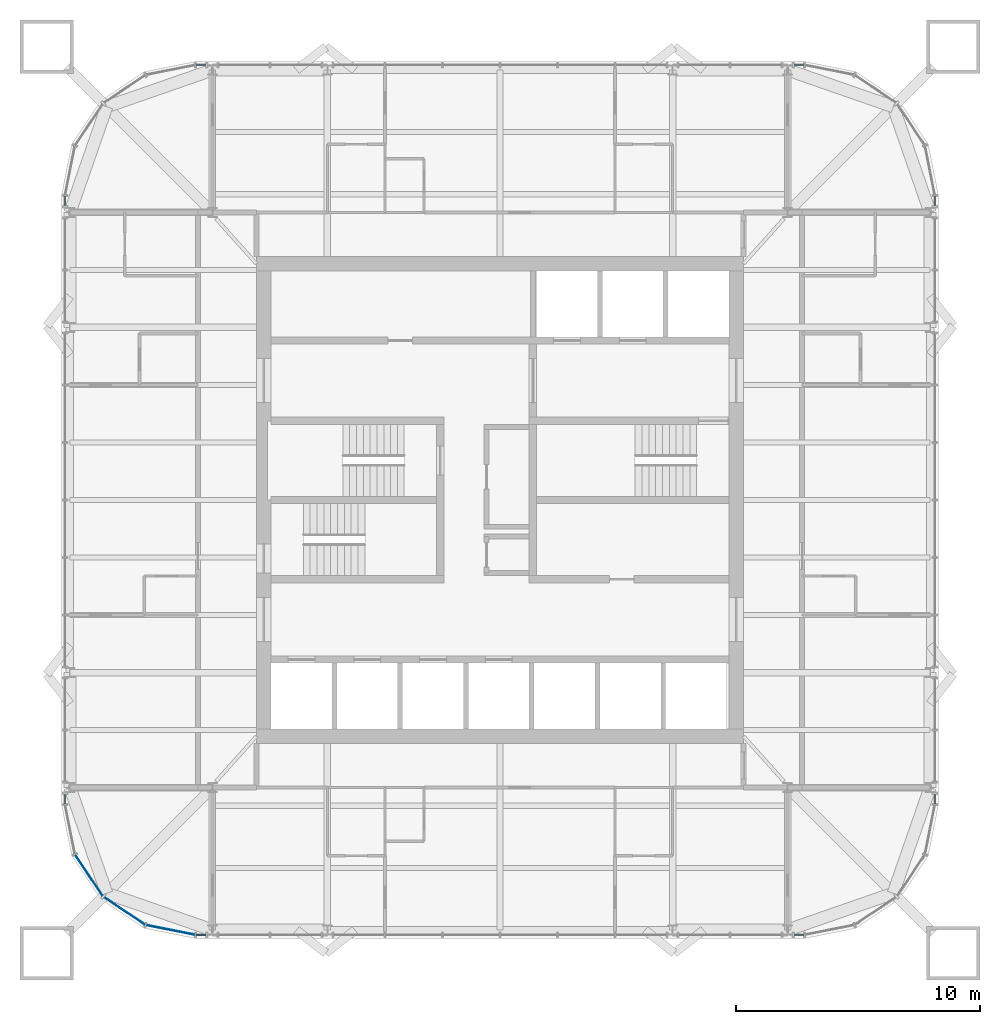
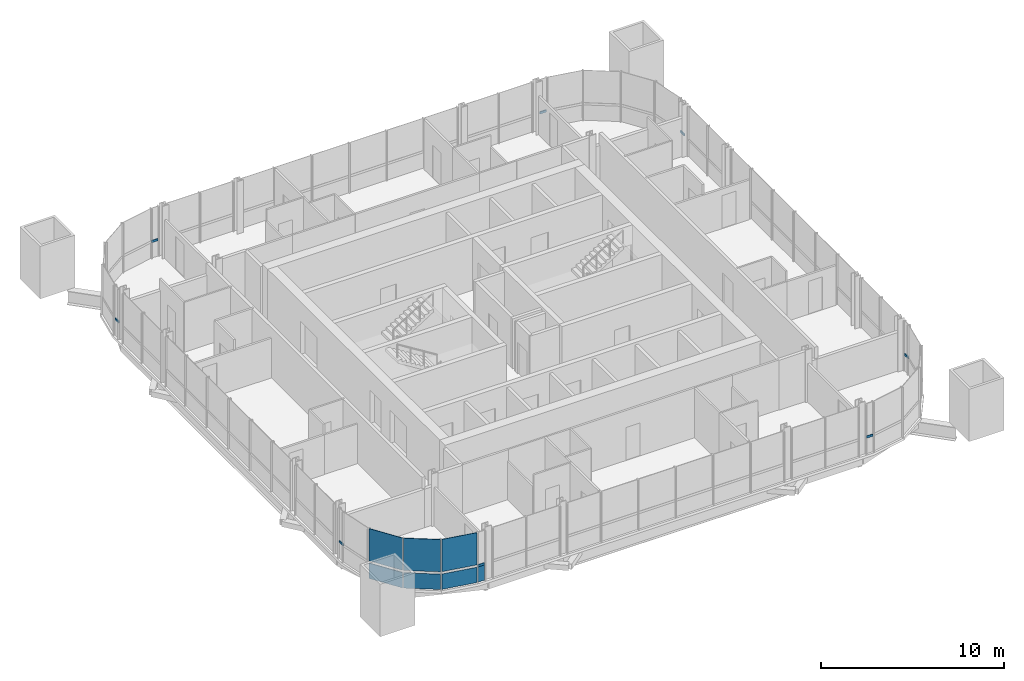
# One storey, part 7 of 17: 8 members, 7 plates, 9 elements without a shape of their own.
"""IFC4 building model written with IfcOpenShell, lengths in metres."""

import ifcopenshell
import ifcopenshell.guid

model = None  # the IFC model being written
_history = None  # IfcOwnerHistory: only IFC2X3 demands one
_inside = {}  # id of a spatial element -> (the spatial element, [elements in it])
_under = {}  # id of a project, library or spatial element -> (it, [spatial elements below it])
_declared = {}  # id of a project -> (the project, [libraries it declares])
_typed = {}  # id of a type object -> (the type object, [elements of that type])
_made_of = {}  # id of a material, layer set ... -> (it, [elements and type objects made of it])


def new_model(schema):
    """Start an empty IFC model of exactly this schema.

    Asked for "IFC4X3", IfcOpenShell would pick the latest addendum, in which some entities
    have other attributes; the version numbers below select the first issue.
    IFC2X3 requires an IfcOwnerHistory on every rooted entity: one is made here for all.
    """
    global model, _history
    if schema == "IFC4X3":
        model = ifcopenshell.file(schema_version=(4, 3, 0, 0))
    else:
        model = ifcopenshell.file(schema=schema)
    _inside.clear()
    _under.clear()
    _declared.clear()
    _typed.clear()
    _made_of.clear()
    _history = None
    if model.schema == "IFC2X3":
        org = make("IfcOrganization", Name="unknown")
        user = make(
            "IfcPersonAndOrganization",
            ThePerson=make("IfcPerson", FamilyName="unknown"),
            TheOrganization=org,
        )
        app = make(
            "IfcApplication",
            ApplicationDeveloper=org,
            Version="unknown",
            ApplicationFullName="unknown",
            ApplicationIdentifier="unknown",
        )
        _history = make(
            "IfcOwnerHistory",
            OwningUser=user,
            OwningApplication=app,
            ChangeAction="ADDED",
            CreationDate=0,
        )
    return model


def make(cls, **values):
    """One entity of the class cls with the attributes given. An attribute that is None is left unset."""
    return model.create_entity(
        cls, **{name: value for name, value in values.items() if value is not None}
    )


def rooted(cls, **values):
    """An entity with a GlobalId (a new one), such as an element, a storey or a relation."""
    return make(cls, GlobalId=ifcopenshell.guid.new(), OwnerHistory=_history, **values)


def si_unit(unit_type, name, prefix=None):
    """IfcSIUnit, for example si_unit("LENGTHUNIT", "METRE", prefix="MILLI")."""
    return make("IfcSIUnit", UnitType=unit_type, Prefix=prefix, Name=name)


def assignment(units):
    """IfcUnitAssignment: the units of a project."""
    return None if units is None else make("IfcUnitAssignment", Units=units)


def point(xyz):
    """IfcCartesianPoint."""
    return None if xyz is None else make("IfcCartesianPoint", Coordinates=xyz)


def direction(xyz):
    """IfcDirection."""
    return None if xyz is None else make("IfcDirection", DirectionRatios=xyz)


def frame(location, z_axis=None, x_axis=None):
    """IfcAxis2Placement3D, a coordinate frame: its origin and axes. An axis left out is left unset."""
    return make(
        "IfcAxis2Placement3D",
        Location=point(location),
        Axis=direction(z_axis),
        RefDirection=direction(x_axis),
    )


def frame_2d(location, x_axis=None):
    """IfcAxis2Placement2D, a coordinate frame in the plane: its origin and x axis."""
    return make(
        "IfcAxis2Placement2D", Location=point(location), RefDirection=direction(x_axis)
    )


def origin():
    """The frame at (0, 0, 0) with its axes left unset."""
    return frame((0.0, 0.0, 0.0))


def origin_2d():
    """The frame at (0, 0) in the plane with its x axis left unset."""
    return frame_2d((0.0, 0.0))


def place(relative_to, where):
    """IfcLocalPlacement: puts the frame where relative to a parent placement (None: the world)."""
    return make(
        "IfcLocalPlacement", PlacementRelTo=relative_to, RelativePlacement=where
    )


def context(
    kind, dimensions, precision=None, world=None, true_north=None, identifier=None
):
    """IfcGeometricRepresentationContext, for example the 3D "Model" context."""
    return make(
        "IfcGeometricRepresentationContext",
        ContextIdentifier=identifier,
        ContextType=kind,
        CoordinateSpaceDimension=dimensions,
        Precision=precision,
        WorldCoordinateSystem=world,
        TrueNorth=true_north,
    )


def subcontext(parent, identifier, kind, view, scale=None):
    """IfcGeometricRepresentationSubContext, for example "Body" below "Model"."""
    return make(
        "IfcGeometricRepresentationSubContext",
        ContextIdentifier=identifier,
        ContextType=kind,
        ParentContext=parent,
        TargetScale=scale,
        TargetView=view,
    )


def project(units=None, contexts=None):
    """IfcProject with its units and contexts."""
    return rooted(
        "IfcProject",
        Name="project",
        RepresentationContexts=contexts,
        UnitsInContext=assignment(units),
    )


def spatial(cls, under=None, at=None, **own):
    """A site, building, storey or space (cls), placed at a placement, below another one or the project."""
    s = rooted(cls, ObjectPlacement=at, **own)
    if under is not None:
        _under.setdefault(under.id(), (under, []))[1].append(s)
    return s


def profile(cls, at=None, kind="AREA", **sizes):
    """A parametric profile (cls). Its sizes go by their IFC names, for example OverallWidth=200.0."""
    return make(cls, ProfileType=kind, Position=at, **sizes)


def rectangle(**sizes):
    """IfcRectangleProfileDef."""
    return profile("IfcRectangleProfileDef", **sizes)


def extrude(swept, where, along, depth):
    """IfcExtrudedAreaSolid: the profile swept, set in the frame where, extruded along a direction by depth."""
    return make(
        "IfcExtrudedAreaSolid",
        SweptArea=swept,
        Position=where,
        ExtrudedDirection=direction(along),
        Depth=depth,
    )


def shape(context_of_items, identifier, shape_type, items):
    """IfcShapeRepresentation: the items that make up one representation, for example the "Body"."""
    return make(
        "IfcShapeRepresentation",
        ContextOfItems=context_of_items,
        RepresentationIdentifier=identifier,
        RepresentationType=shape_type,
        Items=items,
    )


def material(Name=None, Category=None):
    """IfcMaterial."""
    return make("IfcMaterial", Name=Name, Category=Category)


def layer(
    of_material, thickness, ventilated=None, Name=None, Category=None, Priority=None
):
    """IfcMaterialLayer: one layer of a wall or slab, of a material (None: an air gap)."""
    return make(
        "IfcMaterialLayer",
        Material=of_material,
        LayerThickness=thickness,
        IsVentilated=ventilated,
        Name=Name,
        Category=Category,
        Priority=Priority,
    )


def layer_set(layers, Name=None):
    """IfcMaterialLayerSet."""
    return make("IfcMaterialLayerSet", MaterialLayers=layers, LayerSetName=Name)


def material_profile(
    of_material, cross_section, Name=None, Category=None, Priority=None
):
    """IfcMaterialProfile: a cross section and its material."""
    return make(
        "IfcMaterialProfile",
        Name=Name,
        Material=of_material,
        Profile=cross_section,
        Priority=Priority,
        Category=Category,
    )


def profile_set(profiles, Name=None, composite=None):
    """IfcMaterialProfileSet."""
    return make(
        "IfcMaterialProfileSet",
        Name=Name,
        MaterialProfiles=profiles,
        CompositeProfile=composite,
    )


def made_of(thing, what):
    """Note that an element or type object is made of a material, layer set ...; save() writes the relation."""
    if what is not None:
        _made_of.setdefault(what.id(), (what, []))[1].append(thing)
    return thing


def type_object(cls, material=None, **own):
    """A type object (cls), such as IfcWallType, which elements share."""
    return made_of(rooted(cls, **own), material)


def element(
    cls,
    number,
    at=None,
    inside=None,
    cuts=None,
    type_object=None,
    material=None,
    context=None,
    identifier="Body",
    shape_type=None,
    held_by="IfcProductDefinitionShape",
    body=None,
    shapes=None,
    **own,
):
    """One element of the class cls, such as IfcWall. Its Tag is "e" and its number.

    at: its placement. inside: the storey or other place that contains it. cuts: it is an
    opening in that element (IfcRelVoidsElement). A single representation is given by context,
    identifier, shape_type and body (its items); several are given by shapes. held_by: the class
    of the entity that holds the representations. save() writes the other relations.
    """
    e = rooted(cls, Tag="e%d" % number, ObjectPlacement=at, **own)
    if body is not None:
        shapes = [shape(context, identifier, shape_type, body)]
    if shapes is not None:
        e.Representation = make(held_by, Representations=shapes)
    if inside is not None:
        _inside.setdefault(inside.id(), (inside, []))[1].append(e)
    if cuts is not None:
        rooted(
            "IfcRelVoidsElement", RelatingBuildingElement=cuts, RelatedOpeningElement=e
        )
    if type_object is not None:
        _typed.setdefault(type_object.id(), (type_object, []))[1].append(e)
    return made_of(e, material)


def aggregate(whole, parts):
    """IfcRelAggregates: a whole, such as a stair, and the parts it consists of."""
    return rooted("IfcRelAggregates", RelatingObject=whole, RelatedObjects=parts)


def save(model, path):
    """Write the relations noted so far, then the file.

    IfcRelAggregates (storeys below a building ...), IfcRelContainedInSpatialStructure (elements
    in a storey), IfcRelDefinesByType, IfcRelAssociatesMaterial and IfcRelDeclares: one each for
    every whole, place, type object, material and project.
    """
    for whole, parts in _under.values():
        aggregate(whole, parts)
    for where, things in _inside.values():
        rooted(
            "IfcRelContainedInSpatialStructure",
            RelatedElements=things,
            RelatingStructure=where,
        )
    for kind, things in _typed.values():
        rooted("IfcRelDefinesByType", RelatedObjects=things, RelatingType=kind)
    for what, things in _made_of.values():
        rooted("IfcRelAssociatesMaterial", RelatedObjects=things, RelatingMaterial=what)
    for by, libraries in _declared.values():
        rooted("IfcRelDeclares", RelatingContext=by, RelatedDefinitions=libraries)
    model.write(path)


model = new_model("IFC4")

# Units and contexts
model_context = context("Model", 3, precision=1e-05, world=origin(), true_north=direction((0.0, 1.0)))
body_context = subcontext(model_context, "Body", "Model", "MODEL_VIEW")
ifc_project = project(units=[si_unit("LENGTHUNIT", "METRE"), si_unit("AREAUNIT", "SQUARE_METRE"), si_unit("VOLUMEUNIT", "CUBIC_METRE"), si_unit("PLANEANGLEUNIT", "RADIAN"), si_unit("MASSUNIT", "GRAM", prefix="KILO")], contexts=[model_context])

# Site, building, storey
site_placement = place(None, origin())
site = spatial("IfcSite", under=ifc_project, at=site_placement, CompositionType="ELEMENT")
building_placement = place(site_placement, origin())
building = spatial("IfcBuilding", under=site, at=building_placement, Name="Turquesa Mirador Hotel Tower", CompositionType="ELEMENT")
storey_placement = place(building_placement, frame((0.0, 0.0, 258.199951171875)))
storey = spatial("IfcBuildingStorey", under=building, at=storey_placement, Name="L70", CompositionType="ELEMENT", Elevation=258.199951171875)

# Curtain wall, member
ifc_material_1 = material(Name="Aluminium extrusion", Category="aluminium")
curtain_wall_type = type_object("IfcCurtainWallType", Name="CW-4 SUITE FRITTED CURTAIN WALL", PredefinedType="USERDEFINED", material=ifc_material_1)
curtain_wall_1_placement = place(storey_placement, origin())
curtain_wall_1 = element("IfcCurtainWall", 1, at=curtain_wall_1_placement, inside=storey, type_object=curtain_wall_type, Name="CW-4 SUITE FRITTED CURTAIN WALL L70", ObjectType="CURTAIN WALL", PredefinedType="USERDEFINED")
ifc_material_2 = material(Name="Aluminium extrusion", Category="aluminium")
ifc_material_profile = material_profile(ifc_material_2, rectangle(XDim=0.06494140625, YDim=0.14990234375, at=origin_2d()), Name="TRANSOM 65X150")
ifc_profile_set = profile_set([ifc_material_profile], Name="Aluminium extrusion")
member_type = type_object("IfcMemberType", Name="CW TRANSOM 65X150", PredefinedType="USERDEFINED", material=ifc_profile_set)
member_1_placement = place(storey_placement, frame((72.85009765625, 32.532470703125, 1.10009765625), z_axis=(0.0, 1.0, 0.0), x_axis=(-1.0, 0.0, 0.0)))
member_1 = element("IfcMember", 2, at=member_1_placement, type_object=member_type, Name="Transom", ObjectType="TRANSOM", PredefinedType="USERDEFINED", context=body_context, shape_type="SweptSolid", body=[
    extrude(rectangle(XDim=0.06494140625, YDim=0.14990234375, at=origin_2d()), origin(), (0.0, 0.0, 1.0), 0.401123046875),
])
aggregate(curtain_wall_1, [member_1])

curtain_wall_2_placement = place(storey_placement, origin())
curtain_wall_2 = element("IfcCurtainWall", 3, at=curtain_wall_2_placement, inside=storey, type_object=curtain_wall_type, Name="CW-4 SUITE FRITTED CURTAIN WALL L70", ObjectType="CURTAIN WALL", PredefinedType="USERDEFINED")
member_2_placement = place(storey_placement, frame((72.85009765625, 57.06640625, 1.10009765625), z_axis=(0.0, 1.0, 0.0), x_axis=(-1.0, 0.0, 0.0)))
member_2 = element("IfcMember", 4, at=member_2_placement, type_object=member_type, Name="Transom", ObjectType="TRANSOM", PredefinedType="USERDEFINED", context=body_context, shape_type="SweptSolid", body=[
    extrude(rectangle(XDim=0.06494140625, YDim=0.14990234375, at=origin_2d()), origin(), (0.0, 0.0, 1.0), 0.401123046875),
])
aggregate(curtain_wall_2, [member_2])

curtain_wall_3_placement = place(storey_placement, origin())
curtain_wall_3 = element("IfcCurtainWall", 5, at=curtain_wall_3_placement, inside=storey, type_object=curtain_wall_type, Name="CW-4 SUITE FRITTED CURTAIN WALL L70", ObjectType="CURTAIN WALL", PredefinedType="USERDEFINED")
member_3_placement = place(storey_placement, frame((67.467529296875, 62.85009765625, 1.10009765625), z_axis=(-1.0, 0.0, 0.0), x_axis=(0.0, -1.0, 0.0)))
member_3 = element("IfcMember", 6, at=member_3_placement, type_object=member_type, Name="Transom", ObjectType="TRANSOM", PredefinedType="USERDEFINED", context=body_context, shape_type="SweptSolid", body=[
    extrude(rectangle(XDim=0.06494140625, YDim=0.14990234375, at=origin_2d()), origin(), (0.0, 0.0, 1.0), 0.401123046875),
])
aggregate(curtain_wall_3, [member_3])

curtain_wall_4_placement = place(storey_placement, origin())
curtain_wall_4 = element("IfcCurtainWall", 7, at=curtain_wall_4_placement, inside=storey, type_object=curtain_wall_type, Name="CW-4 SUITE FRITTED CURTAIN WALL L70", ObjectType="CURTAIN WALL", PredefinedType="USERDEFINED")
member_4_placement = place(storey_placement, frame((42.93359375, 62.85009765625, 1.10009765625), z_axis=(-1.0, 0.0, 0.0), x_axis=(0.0, -1.0, 0.0)))
member_4 = element("IfcMember", 8, at=member_4_placement, type_object=member_type, Name="Transom", ObjectType="TRANSOM", PredefinedType="USERDEFINED", context=body_context, shape_type="SweptSolid", body=[
    extrude(rectangle(XDim=0.06494140625, YDim=0.14990234375, at=origin_2d()), origin(), (0.0, 0.0, 1.0), 0.401123046875),
])
aggregate(curtain_wall_4, [member_4])

curtain_wall_5_placement = place(storey_placement, origin())
curtain_wall_5 = element("IfcCurtainWall", 9, at=curtain_wall_5_placement, inside=storey, type_object=curtain_wall_type, Name="CW-4 SUITE FRITTED CURTAIN WALL L70", ObjectType="CURTAIN WALL", PredefinedType="USERDEFINED")
member_5_placement = place(storey_placement, frame((37.14990234375, 57.467529296875, 1.10009765625), z_axis=(0.0, -1.0, 0.0), x_axis=(1.0, 0.0, 0.0)))
member_5 = element("IfcMember", 10, at=member_5_placement, type_object=member_type, Name="Transom", ObjectType="TRANSOM", PredefinedType="USERDEFINED", context=body_context, shape_type="SweptSolid", body=[
    extrude(rectangle(XDim=0.06494140625, YDim=0.14990234375, at=origin_2d()), origin(), (0.0, 0.0, 1.0), 0.401123046875),
])
aggregate(curtain_wall_5, [member_5])

curtain_wall_6_placement = place(storey_placement, origin())
curtain_wall_6 = element("IfcCurtainWall", 11, at=curtain_wall_6_placement, inside=storey, type_object=curtain_wall_type, Name="CW-4 SUITE FRITTED CURTAIN WALL L70", ObjectType="CURTAIN WALL", PredefinedType="USERDEFINED")
member_6_placement = place(storey_placement, frame((37.14990234375, 32.93359375, 1.10009765625), z_axis=(0.0, -1.0, 0.0), x_axis=(1.0, 0.0, 0.0)))
member_6 = element("IfcMember", 12, at=member_6_placement, type_object=member_type, Name="Transom", ObjectType="TRANSOM", PredefinedType="USERDEFINED", context=body_context, shape_type="SweptSolid", body=[
    extrude(rectangle(XDim=0.06494140625, YDim=0.14990234375, at=origin_2d()), origin(), (0.0, 0.0, 1.0), 0.401123046875),
])
aggregate(curtain_wall_6, [member_6])

curtain_wall_7_placement = place(storey_placement, origin())
curtain_wall_7 = element("IfcCurtainWall", 13, at=curtain_wall_7_placement, inside=storey, type_object=curtain_wall_type, Name="CW-4 SUITE FRITTED CURTAIN WALL L70", ObjectType="CURTAIN WALL", PredefinedType="USERDEFINED")
member_7_placement = place(storey_placement, frame((42.532470703125, 27.14990234375, 1.10009765625), z_axis=(1.0, 0.0, 0.0), x_axis=(0.0, 1.0, 0.0)))
member_7 = element("IfcMember", 14, at=member_7_placement, type_object=member_type, Name="Transom", ObjectType="TRANSOM", PredefinedType="USERDEFINED", context=body_context, shape_type="SweptSolid", body=[
    extrude(rectangle(XDim=0.06494140625, YDim=0.14990234375, at=origin_2d()), origin(), (0.0, 0.0, 1.0), 0.401123046875),
])

curtain_wall_8_placement = place(storey_placement, origin())
curtain_wall_8 = element("IfcCurtainWall", 15, at=curtain_wall_8_placement, inside=storey, type_object=curtain_wall_type, Name="CW-4 SUITE FRITTED CURTAIN WALL L70", ObjectType="CURTAIN WALL", PredefinedType="USERDEFINED")
member_8_placement = place(storey_placement, frame((67.06640625, 27.14990234375, 1.10009765625), z_axis=(1.0, 0.0, 0.0), x_axis=(0.0, 1.0, 0.0)))
member_8 = element("IfcMember", 16, at=member_8_placement, type_object=member_type, Name="Transom", ObjectType="TRANSOM", PredefinedType="USERDEFINED", context=body_context, shape_type="SweptSolid", body=[
    extrude(rectangle(XDim=0.06494140625, YDim=0.14990234375, at=origin_2d()), origin(), (0.0, 0.0, 1.0), 0.401123046875),
])
aggregate(curtain_wall_8, [member_8])

# Curtain wall, plates
curtain_wall_9_placement = place(storey_placement, origin())
curtain_wall_9 = element("IfcCurtainWall", 17, at=curtain_wall_9_placement, inside=storey, type_object=curtain_wall_type, Name="CW-4 SUITE FRITTED CURTAIN WALL L70", ObjectType="CURTAIN WALL", PredefinedType="USERDEFINED")
ifc_material_3 = material(Name="Ceramic-printed spandrel glass on an insulated back pan", Category="glass")
ifc_layer_1 = layer(ifc_material_3, 0.050048828125)
ifc_layer_set_1 = layer_set([ifc_layer_1], Name="CW PANEL SPANDREL CERAMIC")
plate_type_1 = type_object("IfcPlateType", Name="CW PANEL SPANDREL CERAMIC", PredefinedType="CURTAIN_PANEL", material=ifc_layer_set_1)
plate_1_placement = place(storey_placement, frame((38.13720703125, 29.584716796875, 0.0), z_axis=(0.0, 0.0, 1.0), x_axis=(0.555570141754, -0.831469673284, 0.0)))
plate_1 = element("IfcPlate", 18, at=plate_1_placement, type_object=plate_type_1, Name="Panel", PredefinedType="CURTAIN_PANEL", context=body_context, shape_type="SweptSolid", body=[
    extrude(rectangle(XDim=2.0224609375, YDim=0.050048828125, at=origin_2d()), origin(), (0.0, 0.0, 1.0), 1.02490234375),
])
plate_2_placement = place(storey_placement, frame((39.584716796875, 28.13720703125, 0.0), z_axis=(0.0, 0.0, 1.0), x_axis=(0.831469673284, -0.555570141754, 0.0)))
plate_2 = element("IfcPlate", 19, at=plate_2_placement, type_object=plate_type_1, Name="Panel", PredefinedType="CURTAIN_PANEL", context=body_context, shape_type="SweptSolid", body=[
    extrude(rectangle(XDim=2.0224609375, YDim=0.050048828125, at=origin_2d()), origin(), (0.0, 0.0, 1.0), 1.02490234375),
])
plate_3_placement = place(storey_placement, frame((41.476318359375, 27.353515625, 0.0), z_axis=(0.0, 0.0, 1.0), x_axis=(0.980785228048, -0.195090585221, 0.0)))
plate_3 = element("IfcPlate", 20, at=plate_3_placement, type_object=plate_type_1, Name="Panel", PredefinedType="CURTAIN_PANEL", context=body_context, shape_type="SweptSolid", body=[
    extrude(rectangle(XDim=2.0224609375, YDim=0.050048828125, at=origin_2d()), origin(), (0.0, 0.0, 1.0), 1.02490234375),
])

# Plate
plate_4_placement = place(storey_placement, frame((42.733154296875, 27.14990234375, 0.0), z_axis=(0.0, 0.0, 1.0), x_axis=(1.0, 0.0, 0.0)))
plate_4 = element("IfcPlate", 21, at=plate_4_placement, type_object=plate_type_1, Name="Panel", PredefinedType="CURTAIN_PANEL", context=body_context, shape_type="SweptSolid", body=[
    extrude(rectangle(XDim=0.401123046875, YDim=0.050048828125, at=origin_2d()), origin(), (0.0, 0.0, 1.0), 1.02490234375),
])

aggregate(curtain_wall_7, [member_7, plate_4])

ifc_material_4 = material(Name="Ceramic-fritted laminated glass", Category="glass")
ifc_layer_2 = layer(ifc_material_4, 0.031982421875)
ifc_layer_set_2 = layer_set([ifc_layer_2], Name="CW PANEL VISION FRITTED")
plate_type_2 = type_object("IfcPlateType", Name="CW PANEL VISION FRITTED", PredefinedType="CURTAIN_PANEL", material=ifc_layer_set_2)
plate_5_placement = place(storey_placement, frame((38.13720703125, 29.584716796875, 1.1748046875), z_axis=(0.0, 0.0, 1.0), x_axis=(0.555570141754, -0.831469673284, 0.0)))
plate_5 = element("IfcPlate", 22, at=plate_5_placement, type_object=plate_type_2, Name="Panel", PredefinedType="CURTAIN_PANEL", context=body_context, shape_type="SweptSolid", body=[
    extrude(rectangle(XDim=2.0224609375, YDim=0.031982421875, at=origin_2d()), origin(), (0.0, 0.0, 1.0), 2.155029296875),
])

plate_6_placement = place(storey_placement, frame((39.584716796875, 28.13720703125, 1.1748046875), z_axis=(0.0, 0.0, 1.0), x_axis=(0.831469673284, -0.555570141754, 0.0)))
plate_6 = element("IfcPlate", 23, at=plate_6_placement, type_object=plate_type_2, Name="Panel", PredefinedType="CURTAIN_PANEL", context=body_context, shape_type="SweptSolid", body=[
    extrude(rectangle(XDim=2.0224609375, YDim=0.031982421875, at=origin_2d()), origin(), (0.0, 0.0, 1.0), 2.155029296875),
])

plate_7_placement = place(storey_placement, frame((41.476318359375, 27.353515625, 1.1748046875), z_axis=(0.0, 0.0, 1.0), x_axis=(0.980785228048, -0.195090585221, 0.0)))
plate_7 = element("IfcPlate", 24, at=plate_7_placement, type_object=plate_type_2, Name="Panel", PredefinedType="CURTAIN_PANEL", context=body_context, shape_type="SweptSolid", body=[
    extrude(rectangle(XDim=2.0224609375, YDim=0.031982421875, at=origin_2d()), origin(), (0.0, 0.0, 1.0), 2.155029296875),
])

aggregate(curtain_wall_9, [plate_1, plate_5, plate_2, plate_6, plate_3, plate_7])

save(model, "model.ifc")
